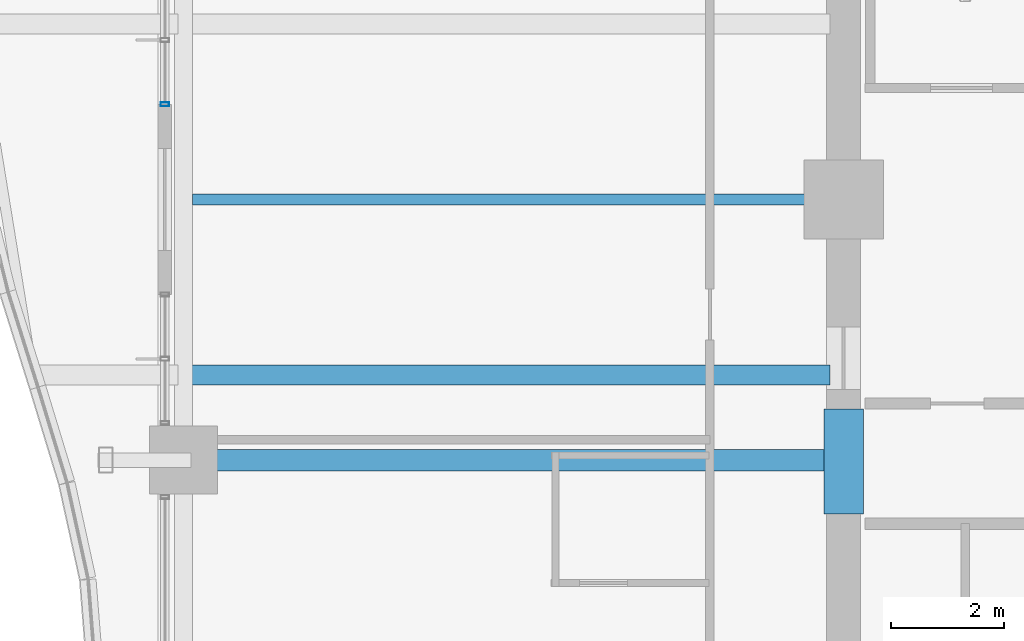
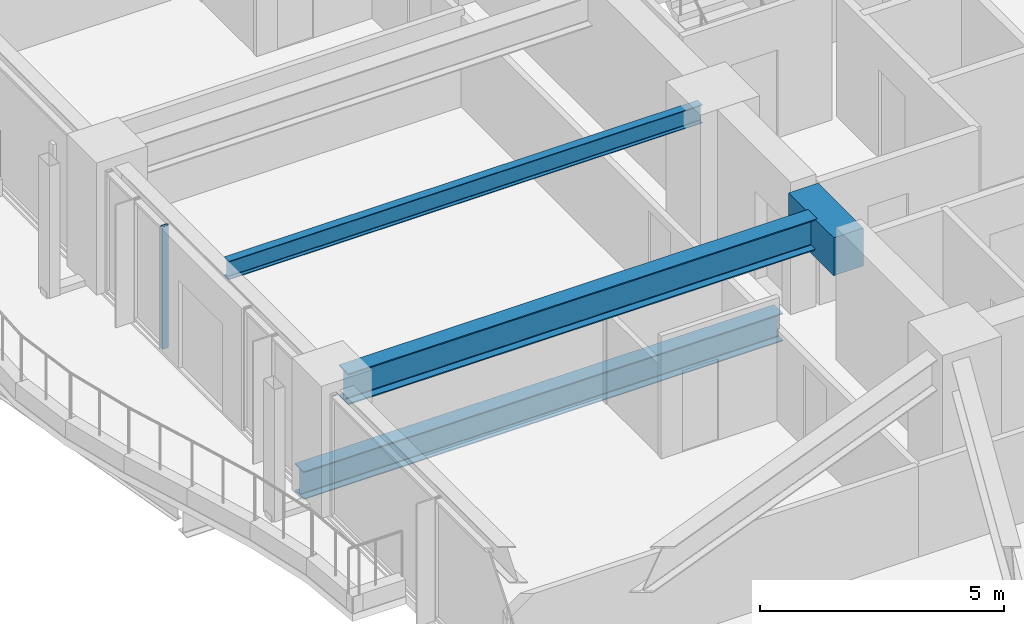
# One storey, part 9 of 38: 4 beams, 1 member, 1 element without a shape of its own.
"""IFC4 building model written with IfcOpenShell, lengths in metres."""

from ifc_helpers import new_model, si_unit, direction, frame, origin, origin_2d, place, context, subcontext, project, spatial, rectangle, hollow_rectangle, i_section, extrude, material, material_profile, profile_set, type_object, element, aggregate, save


model = new_model("IFC4")

# Units and contexts
model_context = context("Model", 3, precision=1e-05, world=origin(), true_north=direction((0.0, 1.0)))
body_context = subcontext(model_context, "Body", "Model", "MODEL_VIEW")
ifc_project = project(units=[si_unit("LENGTHUNIT", "METRE"), si_unit("AREAUNIT", "SQUARE_METRE"), si_unit("VOLUMEUNIT", "CUBIC_METRE"), si_unit("PLANEANGLEUNIT", "RADIAN"), si_unit("MASSUNIT", "GRAM", prefix="KILO")], contexts=[model_context])

# Site, building, storey
site_placement = place(None, origin())
site = spatial("IfcSite", under=ifc_project, at=site_placement, CompositionType="ELEMENT")
building_placement = place(site_placement, origin())
building = spatial("IfcBuilding", under=site, at=building_placement, Name="Kolvaren Belvedere", CompositionType="ELEMENT")
storey_placement = place(building_placement, frame((0.0, 0.0, 53.5)))
storey = spatial("IfcBuildingStorey", under=building, at=storey_placement, Name="L15", CompositionType="ELEMENT", Elevation=53.5)

# Beams
ifc_material_1 = material(Name="Structural steel ASTM A992 Grade 50", Category="steel")
ifc_material_profile_1 = material_profile(ifc_material_1, i_section(OverallWidth=0.35498046875, OverallDepth=0.696044921875, WebThickness=0.015380859375, FlangeThickness=0.02490234375, FilletRadius=0.02197265625, at=origin_2d()), Name="W27X146")
ifc_profile_set_1 = profile_set([ifc_material_profile_1], Name="Structural steel ASTM A992 Grade 50")
beam_type_1 = type_object("IfcBeamType", Name="BM-GIRD-W27X146", PredefinedType="BEAM", material=ifc_profile_set_1)
beam_1_placement = place(storey_placement, frame((-10.139892578125, -3.10009765625, -0.587890625), z_axis=(-1.0, 0.0, 0.0), x_axis=(0.0, -1.0, 0.0)))
element("IfcBeam", 1, at=beam_1_placement, inside=storey, type_object=beam_type_1, Name="L15 Balcony Interior Back-Span Girder BAL-W-1", PredefinedType="BEAM", context=body_context, shape_type="SweptSolid", body=[
    extrude(i_section(OverallWidth=0.35498046875, OverallDepth=0.696044921875, WebThickness=0.015380859375, FlangeThickness=0.02490234375, FilletRadius=0.02197265625, at=origin_2d()), origin(), (0.0, 0.0, 1.0), 11.315185546875),
])
ifc_material_2 = material(Name="Structural steel ASTM A992 Grade 50", Category="steel")
ifc_material_profile_2 = material_profile(ifc_material_2, i_section(OverallWidth=0.381103515625, OverallDepth=0.77294921875, WebThickness=0.0166015625, FlangeThickness=0.027099609375, FilletRadius=0.02392578125, at=origin_2d()), Name="W30X173")
ifc_profile_set_2 = profile_set([ifc_material_profile_2], Name="Structural steel ASTM A992 Grade 50")
beam_type_2 = type_object("IfcBeamType", Name="BM-GIRD-W30X173", PredefinedType="BEAM", material=ifc_profile_set_2)
beam_2_placement = place(storey_placement, frame((-10.199951171875, -4.60009765625, 2.673583984375), z_axis=(-1.0, 0.0, 0.0), x_axis=(0.0, -1.0, 0.0)))
element("IfcBeam", 2, at=beam_2_placement, inside=storey, type_object=beam_type_2, Name="L15 West Radial Girder M", PredefinedType="BEAM", context=body_context, shape_type="SweptSolid", body=[
    extrude(i_section(OverallWidth=0.381103515625, OverallDepth=0.77294921875, WebThickness=0.0166015625, FlangeThickness=0.027099609375, FilletRadius=0.02392578125, at=origin_2d()), origin(), (0.0, 0.0, 1.0), 11.080078125),
])
ifc_material_3 = material(Name="Structural steel ASTM A992 Grade 50", Category="steel")
ifc_material_profile_3 = material_profile(ifc_material_3, i_section(OverallWidth=0.19091796875, OverallDepth=0.4599609375, WebThickness=0.010009765625, FlangeThickness=0.01611328125, FilletRadius=0.014892578125, at=origin_2d()), Name="W18X55")
ifc_profile_set_3 = profile_set([ifc_material_profile_3], Name="Structural steel ASTM A992 Grade 50")
beam_type_3 = type_object("IfcBeamType", Name="BM-JOIST-W18X55", PredefinedType="BEAM", material=ifc_profile_set_3)
beam_3_placement = place(storey_placement, frame((-10.199951171875, 0.0, 2.830078125), z_axis=(-1.0, 0.0, 0.0), x_axis=(0.0, -1.0, 0.0)))
element("IfcBeam", 3, at=beam_3_placement, inside=storey, type_object=beam_type_3, Name="L15 West Centre Floor Beam", PredefinedType="BEAM", context=body_context, shape_type="SweptSolid", body=[
    extrude(i_section(OverallWidth=0.19091796875, OverallDepth=0.4599609375, WebThickness=0.010009765625, FlangeThickness=0.01611328125, FilletRadius=0.014892578125, at=origin_2d()), origin(), (0.0, 0.0, 1.0), 11.1875),
])
ifc_material_4 = material(Name="Concrete C60/75", Category="concrete")
ifc_material_profile_4 = material_profile(ifc_material_4, rectangle(XDim=0.699951171875, YDim=0.949951171875, at=origin_2d()), Name="RC 700X950")
ifc_profile_set_4 = profile_set([ifc_material_profile_4], Name="Concrete C60/75")
beam_type_4 = type_object("IfcBeamType", Name="BM-LINT-950", PredefinedType="LINTEL", material=ifc_profile_set_4)
beam_4_placement = place(storey_placement, frame((-9.89990234375, -5.550048828125, 2.5849609375), z_axis=(0.0, 1.0, 0.0), x_axis=(-1.0, 0.0, 0.0)))
element("IfcBeam", 4, at=beam_4_placement, inside=storey, type_object=beam_type_4, Name="L15 West Core Coupling Lintel", PredefinedType="LINTEL", context=body_context, shape_type="SweptSolid", body=[
    extrude(rectangle(XDim=0.699951171875, YDim=0.949951171875, at=origin_2d()), origin(), (0.0, 0.0, 1.0), 1.85009765625),
])

# Curtain wall, member
ifc_material_5 = material(Name="Anodised pale-metal aluminium AA 6063-T6", Category="aluminium")
curtain_wall_type = type_object("IfcCurtainWallType", Name="CW-Z1-LOW", PredefinedType="NOTDEFINED", material=ifc_material_5)
curtain_wall_placement = place(storey_placement, origin())
curtain_wall = element("IfcCurtainWall", 5, at=curtain_wall_placement, inside=storey, type_object=curtain_wall_type, Name="L15 Unitised Curtain Wall FCW-L15-W2-B1", PredefinedType="NOTDEFINED")
ifc_material_6 = material(Name="Anodised pale-metal aluminium AA 6063-T6", Category="aluminium")
ifc_material_profile_5 = material_profile(ifc_material_6, hollow_rectangle(XDim=0.070068359375, YDim=0.14990234375, WallThickness=0.004150390625, at=origin_2d()), Name="ALU-MUL-150X70")
ifc_profile_set_5 = profile_set([ifc_material_profile_5], Name="Anodised pale-metal aluminium AA 6063-T6")
member_type = type_object("IfcMemberType", Name="CW-MUL-150", PredefinedType="MULLION", material=ifc_profile_set_5)
member_placement = place(storey_placement, frame((-21.8798828125, 1.679931640625, 0.0), z_axis=(0.0, 0.0, 1.0), x_axis=(0.0, 1.0, 0.0)))
member = element("IfcMember", 6, at=member_placement, type_object=member_type, Name="FCW-L15-W2-B1 Unitised Mullion 1", PredefinedType="MULLION", context=body_context, shape_type="SweptSolid", body=[
    extrude(hollow_rectangle(XDim=0.070068359375, YDim=0.14990234375, WallThickness=0.004150390625, at=origin_2d()), origin(), (0.0, 0.0, 1.0), 3.06005859375),
])
aggregate(curtain_wall, [member])

save(model, "model.ifc")
